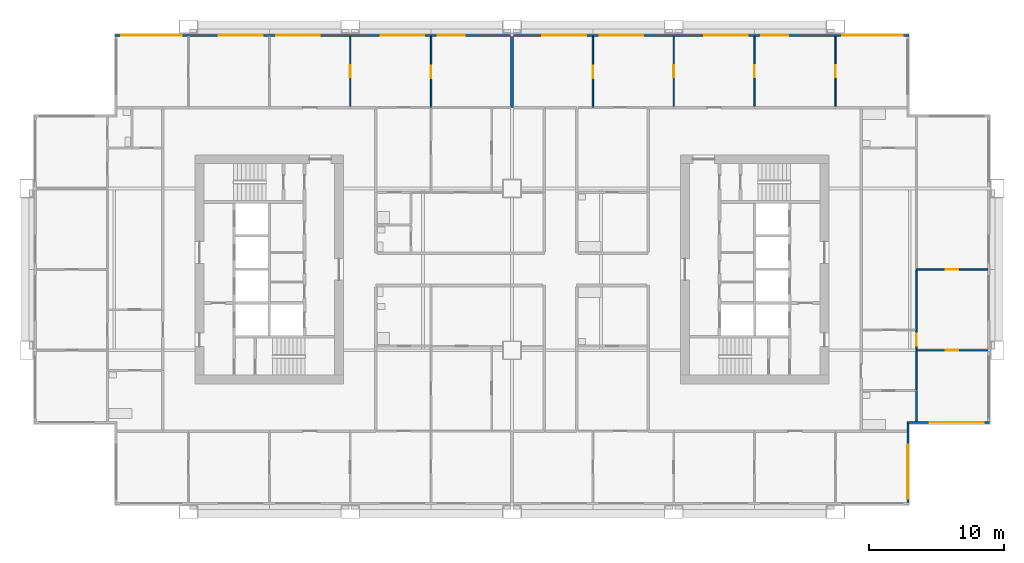
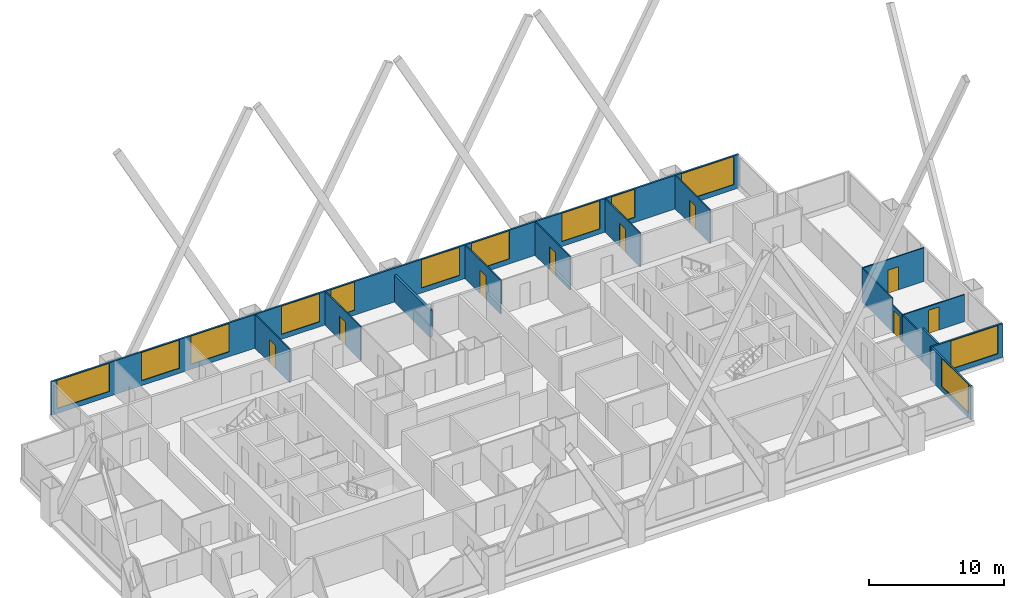
# One storey, part 8 of 11: 16 walls, 12 windows, 9 doors, 21 openings.
"""IFC4 building model written with IfcOpenShell, lengths in metres."""

from ifc_helpers import new_model, si_unit, direction, frame, frame_2d, origin, place, context, subcontext, project, spatial, rectangle, extrude, material, layer, layer_set, type_object, element, fill, save


model = new_model("IFC4")

# Units and contexts
model_context = context("Model", 3, precision=1e-05, world=origin(), true_north=direction((0.0, 1.0)))
body_context = subcontext(model_context, "Body", "Model", "MODEL_VIEW")
ifc_project = project(units=[si_unit("LENGTHUNIT", "METRE"), si_unit("AREAUNIT", "SQUARE_METRE"), si_unit("VOLUMEUNIT", "CUBIC_METRE"), si_unit("PLANEANGLEUNIT", "RADIAN"), si_unit("MASSUNIT", "GRAM", prefix="KILO")], contexts=[model_context])

# Site, building, storey
site_placement = place(None, origin())
site = spatial("IfcSite", under=ifc_project, at=site_placement, CompositionType="ELEMENT")
building_placement = place(site_placement, origin())
building = spatial("IfcBuilding", under=site, at=building_placement, Name="Kitamizu Gate Tower and Museum", CompositionType="ELEMENT")
storey_placement = place(building_placement, frame((0.0, 0.0, 131.10009765625)))
storey = spatial("IfcBuildingStorey", under=building, at=storey_placement, Name="L34", CompositionType="ELEMENT", Elevation=131.10009765625)

# Wall, opening, door
ifc_material_1 = material(Name="Gypsum board on galvanised stud")
ifc_layer_1 = layer(ifc_material_1, 0.10009765625)
ifc_layer_set_1 = layer_set([ifc_layer_1], Name="Gypsum board on galvanised stud")
wall_type_1 = type_object("IfcWallType", Name="Partition 100 NOT RATED", PredefinedType="PARTITIONING", material=ifc_layer_set_1)
wall_1_placement = place(storey_placement, frame((24.0, 42.10009765625, 0.0), z_axis=(0.0, 0.0, 1.0), x_axis=(0.0, 1.0, 0.0)))
wall_1 = element("IfcWall", 1, at=wall_1_placement, inside=storey, type_object=wall_type_1, Name="Partition L34-055", PredefinedType="PARTITIONING", context=body_context, shape_type="SweptSolid", body=[
    extrude(rectangle(XDim=5.179931640625, YDim=0.10009765625, at=frame_2d((2.58984375, 0.0))), origin(), (0.0, 0.0, 1.0), 3.0498046875),
])
opening_1_placement = place(wall_1_placement, frame((2.139892578125, 0.0, 0.0)))
opening_1 = element("IfcOpeningElement", 2, at=opening_1_placement, cuts=wall_1, Name="Opening L34-020", PredefinedType="OPENING", context=body_context, shape_type="SweptSolid", body=[
    extrude(rectangle(XDim=0.89990234375, YDim=2.10009765625, at=frame_2d((0.449951171875, 1.050048828125))), frame((0.0, 0.06005859375, 0.0), z_axis=(0.0, -1.0, 0.0), x_axis=(1.0, 0.0, 0.0)), (0.0, 0.0, 1.0), 0.1201171875),
])
ifc_material_2 = material(Name="Timber door set", Category="wood")
door_type = type_object("IfcDoorType", Name="Room door 900", OperationType="NOTDEFINED", PredefinedType="DOOR", material=ifc_material_2)
door_1_placement = place(opening_1_placement, frame((0.89990234375, 0.0, 0.0), x_axis=(-1.0, 0.0, 0.0)))
door_1 = element("IfcDoor", 3, at=door_1_placement, inside=storey, type_object=door_type, Name="Door L34-020", OperationType="SINGLE_SWING_RIGHT", OverallHeight=2.10009765625, OverallWidth=0.89990234375, PredefinedType="DOOR", context=body_context, shape_type="SweptSolid", body=[
    extrude(rectangle(XDim=0.89990234375, YDim=2.10009765625, at=frame_2d((0.449951171875, 1.050048828125))), frame((0.0, 0.02490234375, 0.0), z_axis=(0.0, -1.0, 0.0), x_axis=(1.0, 0.0, 0.0)), (0.0, 0.0, 1.0), 0.050048828125),
])
fill(opening_1, door_1)

wall_2_placement = place(storey_placement, frame((30.0, 42.0, 0.0), z_axis=(0.0, 0.0, 1.0), x_axis=(0.0, 1.0, 0.0)))
wall_2 = element("IfcWall", 4, at=wall_2_placement, inside=storey, type_object=wall_type_1, Name="Partition L34-057", PredefinedType="PARTITIONING", context=body_context, shape_type="SweptSolid", body=[
    extrude(rectangle(XDim=5.280029296875, YDim=0.10009765625, at=frame_2d((2.64013671875, 0.0))), origin(), (0.0, 0.0, 1.0), 3.0498046875),
])
opening_2_placement = place(wall_2_placement, frame((2.18994140625, 0.0, 0.0)))
opening_2 = element("IfcOpeningElement", 5, at=opening_2_placement, cuts=wall_2, Name="Opening L34-022", PredefinedType="OPENING", context=body_context, shape_type="SweptSolid", body=[
    extrude(rectangle(XDim=0.89990234375, YDim=2.10009765625, at=frame_2d((0.449951171875, 1.050048828125))), frame((0.0, 0.06005859375, 0.0), z_axis=(0.0, -1.0, 0.0), x_axis=(1.0, 0.0, 0.0)), (0.0, 0.0, 1.0), 0.1201171875),
])
door_2_placement = place(opening_2_placement, origin())
door_2 = element("IfcDoor", 6, at=door_2_placement, inside=storey, type_object=door_type, Name="Door L34-022", OperationType="SINGLE_SWING_LEFT", OverallHeight=2.10009765625, OverallWidth=0.89990234375, PredefinedType="DOOR", context=body_context, shape_type="SweptSolid", body=[
    extrude(rectangle(XDim=0.89990234375, YDim=2.10009765625, at=frame_2d((0.449951171875, 1.050048828125))), frame((0.0, 0.02490234375, 0.0), z_axis=(0.0, -1.0, 0.0), x_axis=(1.0, 0.0, 0.0)), (0.0, 0.0, 1.0), 0.050048828125),
])
fill(opening_2, door_2)

wall_3_placement = place(storey_placement, frame((42.0, 42.0, 0.0), z_axis=(0.0, 0.0, 1.0), x_axis=(0.0, 1.0, 0.0)))
wall_3 = element("IfcWall", 7, at=wall_3_placement, inside=storey, type_object=wall_type_1, Name="Partition L34-106", PredefinedType="PARTITIONING", context=body_context, shape_type="SweptSolid", body=[
    extrude(rectangle(XDim=5.280029296875, YDim=0.10009765625, at=frame_2d((2.64013671875, 0.0))), origin(), (0.0, 0.0, 1.0), 3.0498046875),
])
opening_3_placement = place(wall_3_placement, frame((2.18994140625, 0.0, 0.0)))
opening_3 = element("IfcOpeningElement", 8, at=opening_3_placement, cuts=wall_3, Name="Opening L34-042", PredefinedType="OPENING", context=body_context, shape_type="SweptSolid", body=[
    extrude(rectangle(XDim=0.89990234375, YDim=2.10009765625, at=frame_2d((0.449951171875, 1.050048828125))), frame((0.0, 0.06005859375, 0.0), z_axis=(0.0, -1.0, 0.0), x_axis=(1.0, 0.0, 0.0)), (0.0, 0.0, 1.0), 0.1201171875),
])
door_3_placement = place(opening_3_placement, origin())
door_3 = element("IfcDoor", 9, at=door_3_placement, inside=storey, type_object=door_type, Name="Door L34-042", OperationType="SINGLE_SWING_RIGHT", OverallHeight=2.10009765625, OverallWidth=0.89990234375, PredefinedType="DOOR", context=body_context, shape_type="SweptSolid", body=[
    extrude(rectangle(XDim=0.89990234375, YDim=2.10009765625, at=frame_2d((0.449951171875, 1.050048828125))), frame((0.0, 0.02490234375, 0.0), z_axis=(0.0, -1.0, 0.0), x_axis=(1.0, 0.0, 0.0)), (0.0, 0.0, 1.0), 0.050048828125),
])
fill(opening_3, door_3)

wall_4_placement = place(storey_placement, frame((48.0, 42.10009765625, 0.0), z_axis=(0.0, 0.0, 1.0), x_axis=(0.0, 1.0, 0.0)))
wall_4 = element("IfcWall", 10, at=wall_4_placement, inside=storey, type_object=wall_type_1, Name="Partition L34-109", PredefinedType="PARTITIONING", context=body_context, shape_type="SweptSolid", body=[
    extrude(rectangle(XDim=5.179931640625, YDim=0.10009765625, at=frame_2d((2.58984375, 0.0))), origin(), (0.0, 0.0, 1.0), 3.0498046875),
])
opening_4_placement = place(wall_4_placement, frame((2.139892578125, 0.0, 0.0)))
opening_4 = element("IfcOpeningElement", 11, at=opening_4_placement, cuts=wall_4, Name="Opening L34-039", PredefinedType="OPENING", context=body_context, shape_type="SweptSolid", body=[
    extrude(rectangle(XDim=0.89990234375, YDim=2.10009765625, at=frame_2d((0.449951171875, 1.050048828125))), frame((0.0, 0.06005859375, 0.0), z_axis=(0.0, -1.0, 0.0), x_axis=(1.0, 0.0, 0.0)), (0.0, 0.0, 1.0), 0.1201171875),
])
door_4_placement = place(opening_4_placement, origin())
door_4 = element("IfcDoor", 12, at=door_4_placement, inside=storey, type_object=door_type, Name="Door L34-039", OperationType="SINGLE_SWING_LEFT", OverallHeight=2.10009765625, OverallWidth=0.89990234375, PredefinedType="DOOR", context=body_context, shape_type="SweptSolid", body=[
    extrude(rectangle(XDim=0.89990234375, YDim=2.10009765625, at=frame_2d((0.449951171875, 1.050048828125))), frame((0.0, 0.02490234375, 0.0), z_axis=(0.0, -1.0, 0.0), x_axis=(1.0, 0.0, 0.0)), (0.0, 0.0, 1.0), 0.050048828125),
])
fill(opening_4, door_4)

wall_5_placement = place(storey_placement, frame((54.0, 42.10009765625, 0.0), z_axis=(0.0, 0.0, 1.0), x_axis=(0.0, 1.0, 0.0)))
wall_5 = element("IfcWall", 13, at=wall_5_placement, inside=storey, type_object=wall_type_1, Name="Partition L34-112", PredefinedType="PARTITIONING", context=body_context, shape_type="SweptSolid", body=[
    extrude(rectangle(XDim=5.179931640625, YDim=0.10009765625, at=frame_2d((2.58984375, 0.0))), origin(), (0.0, 0.0, 1.0), 3.0498046875),
])
opening_5_placement = place(wall_5_placement, frame((2.139892578125, 0.0, 0.0)))
opening_5 = element("IfcOpeningElement", 14, at=opening_5_placement, cuts=wall_5, Name="Opening L34-040", PredefinedType="OPENING", context=body_context, shape_type="SweptSolid", body=[
    extrude(rectangle(XDim=0.89990234375, YDim=2.10009765625, at=frame_2d((0.449951171875, 1.050048828125))), frame((0.0, 0.06005859375, 0.0), z_axis=(0.0, -1.0, 0.0), x_axis=(1.0, 0.0, 0.0)), (0.0, 0.0, 1.0), 0.1201171875),
])
door_5_placement = place(opening_5_placement, frame((0.89990234375, 0.0, 0.0), x_axis=(-1.0, 0.0, 0.0)))
door_5 = element("IfcDoor", 15, at=door_5_placement, inside=storey, type_object=door_type, Name="Door L34-040", OperationType="SINGLE_SWING_LEFT", OverallHeight=2.10009765625, OverallWidth=0.89990234375, PredefinedType="DOOR", context=body_context, shape_type="SweptSolid", body=[
    extrude(rectangle(XDim=0.89990234375, YDim=2.10009765625, at=frame_2d((0.449951171875, 1.050048828125))), frame((0.0, 0.02490234375, 0.0), z_axis=(0.0, -1.0, 0.0), x_axis=(1.0, 0.0, 0.0)), (0.0, 0.0, 1.0), 0.050048828125),
])
fill(opening_5, door_5)

wall_6_placement = place(storey_placement, frame((60.0, 42.10009765625, 0.0), z_axis=(0.0, 0.0, 1.0), x_axis=(0.0, 1.0, 0.0)))
wall_6 = element("IfcWall", 16, at=wall_6_placement, inside=storey, type_object=wall_type_1, Name="Partition L34-114", PredefinedType="PARTITIONING", context=body_context, shape_type="SweptSolid", body=[
    extrude(rectangle(XDim=5.179931640625, YDim=0.10009765625, at=frame_2d((2.58984375, 0.0))), origin(), (0.0, 0.0, 1.0), 3.0498046875),
])
opening_6_placement = place(wall_6_placement, frame((2.139892578125, 0.0, 0.0)))
opening_6 = element("IfcOpeningElement", 17, at=opening_6_placement, cuts=wall_6, Name="Opening L34-041", PredefinedType="OPENING", context=body_context, shape_type="SweptSolid", body=[
    extrude(rectangle(XDim=0.89990234375, YDim=2.10009765625, at=frame_2d((0.449951171875, 1.050048828125))), frame((0.0, 0.06005859375, 0.0), z_axis=(0.0, -1.0, 0.0), x_axis=(1.0, 0.0, 0.0)), (0.0, 0.0, 1.0), 0.1201171875),
])
door_6_placement = place(opening_6_placement, frame((0.89990234375, 0.0, 0.0), x_axis=(-1.0, 0.0, 0.0)))
door_6 = element("IfcDoor", 18, at=door_6_placement, inside=storey, type_object=door_type, Name="Door L34-041", OperationType="SINGLE_SWING_RIGHT", OverallHeight=2.10009765625, OverallWidth=0.89990234375, PredefinedType="DOOR", context=body_context, shape_type="SweptSolid", body=[
    extrude(rectangle(XDim=0.89990234375, YDim=2.10009765625, at=frame_2d((0.449951171875, 1.050048828125))), frame((0.0, 0.02490234375, 0.0), z_axis=(0.0, -1.0, 0.0), x_axis=(1.0, 0.0, 0.0)), (0.0, 0.0, 1.0), 0.050048828125),
])
fill(opening_6, door_6)

wall_7_placement = place(storey_placement, frame((71.280029296875, 24.0, 0.0), z_axis=(0.0, 0.0, 1.0), x_axis=(-1.0, 0.0, 0.0)))
wall_7 = element("IfcWall", 19, at=wall_7_placement, inside=storey, type_object=wall_type_1, Name="Partition L34-125", PredefinedType="PARTITIONING", context=body_context, shape_type="SweptSolid", body=[
    extrude(rectangle(XDim=5.280029296875, YDim=0.10009765625, at=frame_2d((2.64013671875, 0.0))), origin(), (0.0, 0.0, 1.0), 2.449951171875),
])
opening_7_placement = place(wall_7_placement, frame((2.18994140625, 0.0, 0.0)))
opening_7 = element("IfcOpeningElement", 20, at=opening_7_placement, cuts=wall_7, Name="Opening L34-049", PredefinedType="OPENING", context=body_context, shape_type="SweptSolid", body=[
    extrude(rectangle(XDim=0.89990234375, YDim=2.10009765625, at=frame_2d((0.449951171875, 1.050048828125))), frame((0.0, 0.06005859375, 0.0), z_axis=(0.0, -1.0, 0.0), x_axis=(1.0, 0.0, 0.0)), (0.0, 0.0, 1.0), 0.1201171875),
])
door_7_placement = place(opening_7_placement, origin())
door_7 = element("IfcDoor", 21, at=door_7_placement, inside=storey, type_object=door_type, Name="Door L34-049", OperationType="SINGLE_SWING_LEFT", OverallHeight=2.10009765625, OverallWidth=0.89990234375, PredefinedType="DOOR", context=body_context, shape_type="SweptSolid", body=[
    extrude(rectangle(XDim=0.89990234375, YDim=2.10009765625, at=frame_2d((0.449951171875, 1.050048828125))), frame((0.0, 0.02490234375, 0.0), z_axis=(0.0, -1.0, 0.0), x_axis=(1.0, 0.0, 0.0)), (0.0, 0.0, 1.0), 0.050048828125),
])
fill(opening_7, door_7)

# Wall
wall_8_placement = place(storey_placement, frame((66.0, 23.949951171875, 0.0), z_axis=(0.0, 0.0, 1.0), x_axis=(0.0, -1.0, 0.0)))
element("IfcWall", 22, at=wall_8_placement, inside=storey, type_object=wall_type_1, Name="Partition L34-127", PredefinedType="PARTITIONING", context=body_context, shape_type="SweptSolid", body=[
    extrude(rectangle(XDim=2.875, YDim=0.10009765625, at=frame_2d((1.4375, 0.0))), origin(), (0.0, 0.0, 1.0), 2.449951171875),
])

# Wall, opening, door
wall_9_placement = place(storey_placement, frame((71.280029296875, 30.0, 0.0), z_axis=(0.0, 0.0, 1.0), x_axis=(-1.0, 0.0, 0.0)))
wall_9 = element("IfcWall", 23, at=wall_9_placement, inside=storey, type_object=wall_type_1, Name="Partition L34-128", PredefinedType="PARTITIONING", context=body_context, shape_type="SweptSolid", body=[
    extrude(rectangle(XDim=5.280029296875, YDim=0.10009765625, at=frame_2d((2.64013671875, 0.0))), origin(), (0.0, 0.0, 1.0), 3.0498046875),
])
opening_8_placement = place(wall_9_placement, frame((2.18994140625, 0.0, 0.0)))
opening_8 = element("IfcOpeningElement", 24, at=opening_8_placement, cuts=wall_9, Name="Opening L34-048", PredefinedType="OPENING", context=body_context, shape_type="SweptSolid", body=[
    extrude(rectangle(XDim=0.89990234375, YDim=2.10009765625, at=frame_2d((0.449951171875, 1.050048828125))), frame((0.0, 0.06005859375, 0.0), z_axis=(0.0, -1.0, 0.0), x_axis=(1.0, 0.0, 0.0)), (0.0, 0.0, 1.0), 0.1201171875),
])
door_8_placement = place(opening_8_placement, origin())
door_8 = element("IfcDoor", 25, at=door_8_placement, inside=storey, type_object=door_type, Name="Door L34-048", OperationType="SINGLE_SWING_RIGHT", OverallHeight=2.10009765625, OverallWidth=0.89990234375, PredefinedType="DOOR", context=body_context, shape_type="SweptSolid", body=[
    extrude(rectangle(XDim=0.89990234375, YDim=2.10009765625, at=frame_2d((0.449951171875, 1.050048828125))), frame((0.0, 0.02490234375, 0.0), z_axis=(0.0, -1.0, 0.0), x_axis=(1.0, 0.0, 0.0)), (0.0, 0.0, 1.0), 0.050048828125),
])
fill(opening_8, door_8)

wall_10_placement = place(storey_placement, frame((66.0, 25.5, 0.0), z_axis=(0.0, 0.0, 1.0), x_axis=(0.0, -1.0, 0.0)))
wall_10 = element("IfcWall", 26, at=wall_10_placement, inside=storey, type_object=wall_type_1, Name="Partition L34-129", PredefinedType="PARTITIONING", context=body_context, shape_type="SweptSolid", body=[
    extrude(rectangle(XDim=1.449951171875, YDim=0.10009765625, at=frame_2d((0.72509765625, 0.0))), origin(), (0.0, 0.0, 1.0), 2.449951171875),
])
opening_9_placement = place(wall_10_placement, frame((0.27490234375, 0.0, 0.0)))
opening_9 = element("IfcOpeningElement", 27, at=opening_9_placement, cuts=wall_10, Name="Opening L34-046", PredefinedType="OPENING", context=body_context, shape_type="SweptSolid", body=[
    extrude(rectangle(XDim=0.89990234375, YDim=2.10009765625, at=frame_2d((0.449951171875, 1.050048828125))), frame((0.0, 0.06005859375, 0.0), z_axis=(0.0, -1.0, 0.0), x_axis=(1.0, 0.0, 0.0)), (0.0, 0.0, 1.0), 0.1201171875),
])
door_9_placement = place(opening_9_placement, origin())
door_9 = element("IfcDoor", 28, at=door_9_placement, inside=storey, type_object=door_type, Name="Door L34-046", OperationType="SINGLE_SWING_LEFT", OverallHeight=2.10009765625, OverallWidth=0.89990234375, PredefinedType="DOOR", context=body_context, shape_type="SweptSolid", body=[
    extrude(rectangle(XDim=0.89990234375, YDim=2.10009765625, at=frame_2d((0.449951171875, 1.050048828125))), frame((0.0, 0.02490234375, 0.0), z_axis=(0.0, -1.0, 0.0), x_axis=(1.0, 0.0, 0.0)), (0.0, 0.0, 1.0), 0.050048828125),
])
fill(opening_9, door_9)

# Walls
wall_11_placement = place(storey_placement, frame((66.0, 29.949951171875, 0.0), z_axis=(0.0, 0.0, 1.0), x_axis=(0.0, -1.0, 0.0)))
element("IfcWall", 29, at=wall_11_placement, inside=storey, type_object=wall_type_1, Name="Partition L34-130", PredefinedType="PARTITIONING", context=body_context, shape_type="SweptSolid", body=[
    extrude(rectangle(XDim=4.449951171875, YDim=0.10009765625, at=frame_2d((2.22509765625, 0.0))), origin(), (0.0, 0.0, 1.0), 3.0498046875),
])
ifc_material_3 = material(Name="Gypsum board on galvanised stud")
ifc_layer_2 = layer(ifc_material_3, 0.14990234375)
ifc_layer_set_2 = layer_set([ifc_layer_2], Name="Gypsum board on galvanised stud")
wall_type_2 = type_object("IfcWallType", Name="Partition 150", PredefinedType="PARTITIONING", material=ifc_layer_set_2)
wall_12_placement = place(storey_placement, frame((66.0, 21.0, 0.0), z_axis=(0.0, 0.0, 1.0), x_axis=(0.0, -1.0, 0.0)))
element("IfcWall", 30, at=wall_12_placement, inside=storey, type_object=wall_type_2, Name="Partition L34-126", PredefinedType="PARTITIONING", context=body_context, shape_type="SweptSolid", body=[
    extrude(rectangle(XDim=2.280029296875, YDim=0.14990234375, at=frame_2d((1.14013671875, 0.0))), origin(), (0.0, 0.0, 1.0), 3.0498046875),
])
ifc_material_4 = material(Name="Gypsum board on galvanised stud")
ifc_layer_3 = layer(ifc_material_4, 0.199951171875)
ifc_layer_set_3 = layer_set([ifc_layer_3], Name="Gypsum board on galvanised stud")
wall_type_3 = type_object("IfcWallType", Name="Partition 200", PredefinedType="PARTITIONING", material=ifc_layer_set_3)
wall_13_placement = place(storey_placement, frame((36.0, 42.0, 0.0), z_axis=(0.0, 0.0, 1.0), x_axis=(0.0, 1.0, 0.0)))
element("IfcWall", 31, at=wall_13_placement, inside=storey, type_object=wall_type_3, Name="Partition L34-062", PredefinedType="PARTITIONING", context=body_context, shape_type="SweptSolid", body=[
    extrude(rectangle(XDim=5.280029296875, YDim=0.199951171875, at=frame_2d((2.64013671875, 0.0))), origin(), (0.0, 0.0, 1.0), 2.449951171875),
])

# Wall, opening, window
ifc_material_5 = material(Name="Bronze anodised aluminium frame with insulated spandrel and tinted glass", Category="aluminium")
ifc_layer_4 = layer(ifc_material_5, 0.14990234375)
ifc_layer_set_4 = layer_set([ifc_layer_4], Name="Bronze anodised aluminium frame with insulated spandrel and tinted glass")
wall_type_4 = type_object("IfcWallType", Name="WINDOW WALL 150 BRONZE FRAME EI 30", PredefinedType="ELEMENTEDWALL", material=ifc_layer_set_4)
wall_14_placement = place(storey_placement, frame((65.364990234375, 12.7099609375, 0.0), z_axis=(0.0, 0.0, 1.0), x_axis=(0.0, 1.0, 0.0)))
wall_14 = element("IfcWall", 32, at=wall_14_placement, inside=storey, type_object=wall_type_4, Name="Window wall east L34", PredefinedType="ELEMENTEDWALL", context=body_context, shape_type="SweptSolid", body=[
    extrude(rectangle(XDim=5.85009765625, YDim=0.14990234375, at=frame_2d((2.925048828125, 0.0))), origin(), (0.0, 0.0, 1.0), 3.0498046875),
])
opening_10_placement = place(wall_14_placement, frame((0.2900390625, 0.0, 0.449951171875)))
opening_10 = element("IfcOpeningElement", 33, at=opening_10_placement, cuts=wall_14, Name="Opening W16", PredefinedType="OPENING", context=body_context, shape_type="SweptSolid", body=[
    extrude(rectangle(XDim=4.0, YDim=2.550048828125, at=frame_2d((2.0, 1.27490234375))), frame((0.0, 0.0849609375, 0.0), z_axis=(0.0, -1.0, 0.0), x_axis=(1.0, 0.0, 0.0)), (0.0, 0.0, 1.0), 0.169921875),
])
ifc_material_6 = material(Name="Bronze anodised aluminium frame, tinted triple glazing", Category="aluminium")
window_type_1 = type_object("IfcWindowType", Name="WINDOW 4000 x 2550 SILL 450", PartitioningType="SINGLE_PANEL", PredefinedType="WINDOW", material=ifc_material_6)
window_1_placement = place(opening_10_placement, origin())
window_1 = element("IfcWindow", 34, at=window_1_placement, inside=storey, type_object=window_type_1, Name="Window W16 L34", OverallHeight=2.550048828125, OverallWidth=4.0, PartitioningType="SINGLE_PANEL", PredefinedType="WINDOW", context=body_context, shape_type="SweptSolid", body=[
    extrude(rectangle(XDim=4.0, YDim=2.550048828125, at=frame_2d((2.0, 1.27490234375))), frame((0.0, 0.030029296875, 0.0), z_axis=(0.0, -1.0, 0.0), x_axis=(1.0, 0.0, 0.0)), (0.0, 0.0, 1.0), 0.06005859375),
])
fill(opening_10, window_1)

wall_15_placement = place(storey_placement, frame((65.2900390625, 18.635009765625, 0.0), z_axis=(0.0, 0.0, 1.0), x_axis=(1.0, 0.0, 0.0)))
wall_15 = element("IfcWall", 35, at=wall_15_placement, inside=storey, type_object=wall_type_4, Name="Window wall south L34", PredefinedType="ELEMENTEDWALL", context=body_context, shape_type="SweptSolid", body=[
    extrude(rectangle(XDim=6.14990234375, YDim=0.14990234375, at=frame_2d((3.074951171875, 0.0))), origin(), (0.0, 0.0, 1.0), 3.0498046875),
])
opening_11_placement = place(wall_15_placement, frame((1.7099609375, 0.0, 0.449951171875)))
opening_11 = element("IfcOpeningElement", 36, at=opening_11_placement, cuts=wall_15, Name="Opening W16", PredefinedType="OPENING", context=body_context, shape_type="SweptSolid", body=[
    extrude(rectangle(XDim=4.0, YDim=2.550048828125, at=frame_2d((2.0, 1.27490234375))), frame((0.0, 0.0849609375, 0.0), z_axis=(0.0, -1.0, 0.0), x_axis=(1.0, 0.0, 0.0)), (0.0, 0.0, 1.0), 0.169921875),
])
window_2_placement = place(opening_11_placement, origin())
window_2 = element("IfcWindow", 37, at=window_2_placement, inside=storey, type_object=window_type_1, Name="Window W16 L34", OverallHeight=2.550048828125, OverallWidth=4.0, PartitioningType="SINGLE_PANEL", PredefinedType="WINDOW", context=body_context, shape_type="SweptSolid", body=[
    extrude(rectangle(XDim=4.0, YDim=2.550048828125, at=frame_2d((2.0, 1.27490234375))), frame((0.0, 0.030029296875, 0.0), z_axis=(0.0, -1.0, 0.0), x_axis=(1.0, 0.0, 0.0)), (0.0, 0.0, 1.0), 0.06005859375),
])
fill(opening_11, window_2)

# Wall, openings, windows
wall_16_placement = place(storey_placement, frame((6.56005859375, 47.364990234375, 0.0), z_axis=(0.0, 0.0, 1.0), x_axis=(1.0, 0.0, 0.0)))
wall_16 = element("IfcWall", 38, at=wall_16_placement, inside=storey, type_object=wall_type_4, Name="Window wall north L34", PredefinedType="ELEMENTEDWALL", context=body_context, shape_type="SweptSolid", body=[
    extrude(rectangle(XDim=58.8798828125, YDim=0.14990234375, at=frame_2d((29.43994140625, 0.0))), origin(), (0.0, 0.0, 1.0), 3.0498046875),
])
opening_12_placement = place(wall_16_placement, frame((0.43994140625, 0.0, 0.449951171875)))
opening_12 = element("IfcOpeningElement", 39, at=opening_12_placement, cuts=wall_16, Name="Opening W15", PredefinedType="OPENING", context=body_context, shape_type="SweptSolid", body=[
    extrude(rectangle(XDim=4.5, YDim=2.550048828125, at=frame_2d((2.25, 1.27490234375))), frame((0.0, 0.0849609375, 0.0), z_axis=(0.0, -1.0, 0.0), x_axis=(1.0, 0.0, 0.0)), (0.0, 0.0, 1.0), 0.169921875),
])
opening_13_placement = place(wall_16_placement, frame((7.68994140625, 0.0, 0.449951171875)))
opening_13 = element("IfcOpeningElement", 40, at=opening_13_placement, cuts=wall_16, Name="Opening W34", PredefinedType="OPENING", context=body_context, shape_type="SweptSolid", body=[
    extrude(rectangle(XDim=3.25, YDim=2.550048828125, at=frame_2d((1.625, 1.27490234375))), frame((0.0, 0.0849609375, 0.0), z_axis=(0.0, -1.0, 0.0), x_axis=(1.0, 0.0, 0.0)), (0.0, 0.0, 1.0), 0.169921875),
])
opening_14_placement = place(wall_16_placement, frame((11.93994140625, 0.0, 0.449951171875)))
opening_14 = element("IfcOpeningElement", 41, at=opening_14_placement, cuts=wall_16, Name="Opening W34", PredefinedType="OPENING", context=body_context, shape_type="SweptSolid", body=[
    extrude(rectangle(XDim=3.25, YDim=2.550048828125, at=frame_2d((1.625, 1.27490234375))), frame((0.0, 0.0849609375, 0.0), z_axis=(0.0, -1.0, 0.0), x_axis=(1.0, 0.0, 0.0)), (0.0, 0.0, 1.0), 0.169921875),
])
opening_15_placement = place(wall_16_placement, frame((19.68994140625, 0.0, 0.449951171875)))
opening_15 = element("IfcOpeningElement", 42, at=opening_15_placement, cuts=wall_16, Name="Opening W34", PredefinedType="OPENING", context=body_context, shape_type="SweptSolid", body=[
    extrude(rectangle(XDim=3.25, YDim=2.550048828125, at=frame_2d((1.625, 1.27490234375))), frame((0.0, 0.0849609375, 0.0), z_axis=(0.0, -1.0, 0.0), x_axis=(1.0, 0.0, 0.0)), (0.0, 0.0, 1.0), 0.169921875),
])
opening_16_placement = place(wall_16_placement, frame((23.93994140625, 0.0, 0.449951171875)))
opening_16 = element("IfcOpeningElement", 43, at=opening_16_placement, cuts=wall_16, Name="Opening W2", PredefinedType="OPENING", context=body_context, shape_type="SweptSolid", body=[
    extrude(rectangle(XDim=2.0, YDim=2.550048828125, at=frame_2d((1.0, 1.27490234375))), frame((0.0, 0.0849609375, 0.0), z_axis=(0.0, -1.0, 0.0), x_axis=(1.0, 0.0, 0.0)), (0.0, 0.0, 1.0), 0.169921875),
])
opening_17_placement = place(wall_16_placement, frame((31.68994140625, 0.0, 0.449951171875)))
opening_17 = element("IfcOpeningElement", 44, at=opening_17_placement, cuts=wall_16, Name="Opening W34", PredefinedType="OPENING", context=body_context, shape_type="SweptSolid", body=[
    extrude(rectangle(XDim=3.25, YDim=2.550048828125, at=frame_2d((1.625, 1.27490234375))), frame((0.0, 0.0849609375, 0.0), z_axis=(0.0, -1.0, 0.0), x_axis=(1.0, 0.0, 0.0)), (0.0, 0.0, 1.0), 0.169921875),
])
opening_18_placement = place(wall_16_placement, frame((35.93994140625, 0.0, 0.449951171875)))
opening_18 = element("IfcOpeningElement", 45, at=opening_18_placement, cuts=wall_16, Name="Opening W34", PredefinedType="OPENING", context=body_context, shape_type="SweptSolid", body=[
    extrude(rectangle(XDim=3.25, YDim=2.550048828125, at=frame_2d((1.625, 1.27490234375))), frame((0.0, 0.0849609375, 0.0), z_axis=(0.0, -1.0, 0.0), x_axis=(1.0, 0.0, 0.0)), (0.0, 0.0, 1.0), 0.169921875),
])
opening_19_placement = place(wall_16_placement, frame((43.68994140625, 0.0, 0.449951171875)))
opening_19 = element("IfcOpeningElement", 46, at=opening_19_placement, cuts=wall_16, Name="Opening W34", PredefinedType="OPENING", context=body_context, shape_type="SweptSolid", body=[
    extrude(rectangle(XDim=3.25, YDim=2.550048828125, at=frame_2d((1.625, 1.27490234375))), frame((0.0, 0.0849609375, 0.0), z_axis=(0.0, -1.0, 0.0), x_axis=(1.0, 0.0, 0.0)), (0.0, 0.0, 1.0), 0.169921875),
])
opening_20_placement = place(wall_16_placement, frame((47.93994140625, 0.0, 0.449951171875)))
opening_20 = element("IfcOpeningElement", 47, at=opening_20_placement, cuts=wall_16, Name="Opening W2", PredefinedType="OPENING", context=body_context, shape_type="SweptSolid", body=[
    extrude(rectangle(XDim=2.0, YDim=2.550048828125, at=frame_2d((1.0, 1.27490234375))), frame((0.0, 0.0849609375, 0.0), z_axis=(0.0, -1.0, 0.0), x_axis=(1.0, 0.0, 0.0)), (0.0, 0.0, 1.0), 0.169921875),
])
opening_21_placement = place(wall_16_placement, frame((53.93994140625, 0.0, 0.449951171875)))
opening_21 = element("IfcOpeningElement", 48, at=opening_21_placement, cuts=wall_16, Name="Opening W15", PredefinedType="OPENING", context=body_context, shape_type="SweptSolid", body=[
    extrude(rectangle(XDim=4.5, YDim=2.550048828125, at=frame_2d((2.25, 1.27490234375))), frame((0.0, 0.0849609375, 0.0), z_axis=(0.0, -1.0, 0.0), x_axis=(1.0, 0.0, 0.0)), (0.0, 0.0, 1.0), 0.169921875),
])
ifc_material_7 = material(Name="Bronze anodised aluminium frame, tinted triple glazing", Category="aluminium")
window_type_2 = type_object("IfcWindowType", Name="WINDOW 2000 x 2550 SILL 450", PartitioningType="SINGLE_PANEL", PredefinedType="WINDOW", material=ifc_material_7)
window_3_placement = place(opening_16_placement, origin())
window_3 = element("IfcWindow", 49, at=window_3_placement, inside=storey, type_object=window_type_2, Name="Window W2 L34", OverallHeight=2.550048828125, OverallWidth=2.0, PartitioningType="SINGLE_PANEL", PredefinedType="WINDOW", context=body_context, shape_type="SweptSolid", body=[
    extrude(rectangle(XDim=2.0, YDim=2.550048828125, at=frame_2d((1.0, 1.27490234375))), frame((0.0, 0.030029296875, 0.0), z_axis=(0.0, -1.0, 0.0), x_axis=(1.0, 0.0, 0.0)), (0.0, 0.0, 1.0), 0.06005859375),
])
fill(opening_16, window_3)
window_4_placement = place(opening_20_placement, origin())
window_4 = element("IfcWindow", 50, at=window_4_placement, inside=storey, type_object=window_type_2, Name="Window W2 L34", OverallHeight=2.550048828125, OverallWidth=2.0, PartitioningType="SINGLE_PANEL", PredefinedType="WINDOW", context=body_context, shape_type="SweptSolid", body=[
    extrude(rectangle(XDim=2.0, YDim=2.550048828125, at=frame_2d((1.0, 1.27490234375))), frame((0.0, 0.030029296875, 0.0), z_axis=(0.0, -1.0, 0.0), x_axis=(1.0, 0.0, 0.0)), (0.0, 0.0, 1.0), 0.06005859375),
])
fill(opening_20, window_4)
ifc_material_8 = material(Name="Bronze anodised aluminium frame, tinted triple glazing", Category="aluminium")
window_type_3 = type_object("IfcWindowType", Name="WINDOW 3250 x 2550 SILL 450", PartitioningType="SINGLE_PANEL", PredefinedType="WINDOW", material=ifc_material_8)
window_5_placement = place(opening_13_placement, origin())
window_5 = element("IfcWindow", 51, at=window_5_placement, inside=storey, type_object=window_type_3, Name="Window W34 L34", OverallHeight=2.550048828125, OverallWidth=3.25, PartitioningType="SINGLE_PANEL", PredefinedType="WINDOW", context=body_context, shape_type="SweptSolid", body=[
    extrude(rectangle(XDim=3.25, YDim=2.550048828125, at=frame_2d((1.625, 1.27490234375))), frame((0.0, 0.030029296875, 0.0), z_axis=(0.0, -1.0, 0.0), x_axis=(1.0, 0.0, 0.0)), (0.0, 0.0, 1.0), 0.06005859375),
])
fill(opening_13, window_5)
window_6_placement = place(opening_14_placement, origin())
window_6 = element("IfcWindow", 52, at=window_6_placement, inside=storey, type_object=window_type_3, Name="Window W34 L34", OverallHeight=2.550048828125, OverallWidth=3.25, PartitioningType="SINGLE_PANEL", PredefinedType="WINDOW", context=body_context, shape_type="SweptSolid", body=[
    extrude(rectangle(XDim=3.25, YDim=2.550048828125, at=frame_2d((1.625, 1.27490234375))), frame((0.0, 0.030029296875, 0.0), z_axis=(0.0, -1.0, 0.0), x_axis=(1.0, 0.0, 0.0)), (0.0, 0.0, 1.0), 0.06005859375),
])
fill(opening_14, window_6)
window_7_placement = place(opening_15_placement, origin())
window_7 = element("IfcWindow", 53, at=window_7_placement, inside=storey, type_object=window_type_3, Name="Window W34 L34", OverallHeight=2.550048828125, OverallWidth=3.25, PartitioningType="SINGLE_PANEL", PredefinedType="WINDOW", context=body_context, shape_type="SweptSolid", body=[
    extrude(rectangle(XDim=3.25, YDim=2.550048828125, at=frame_2d((1.625, 1.27490234375))), frame((0.0, 0.030029296875, 0.0), z_axis=(0.0, -1.0, 0.0), x_axis=(1.0, 0.0, 0.0)), (0.0, 0.0, 1.0), 0.06005859375),
])
fill(opening_15, window_7)
window_8_placement = place(opening_17_placement, origin())
window_8 = element("IfcWindow", 54, at=window_8_placement, inside=storey, type_object=window_type_3, Name="Window W34 L34", OverallHeight=2.550048828125, OverallWidth=3.25, PartitioningType="SINGLE_PANEL", PredefinedType="WINDOW", context=body_context, shape_type="SweptSolid", body=[
    extrude(rectangle(XDim=3.25, YDim=2.550048828125, at=frame_2d((1.625, 1.27490234375))), frame((0.0, 0.030029296875, 0.0), z_axis=(0.0, -1.0, 0.0), x_axis=(1.0, 0.0, 0.0)), (0.0, 0.0, 1.0), 0.06005859375),
])
fill(opening_17, window_8)
window_9_placement = place(opening_18_placement, origin())
window_9 = element("IfcWindow", 55, at=window_9_placement, inside=storey, type_object=window_type_3, Name="Window W34 L34", OverallHeight=2.550048828125, OverallWidth=3.25, PartitioningType="SINGLE_PANEL", PredefinedType="WINDOW", context=body_context, shape_type="SweptSolid", body=[
    extrude(rectangle(XDim=3.25, YDim=2.550048828125, at=frame_2d((1.625, 1.27490234375))), frame((0.0, 0.030029296875, 0.0), z_axis=(0.0, -1.0, 0.0), x_axis=(1.0, 0.0, 0.0)), (0.0, 0.0, 1.0), 0.06005859375),
])
fill(opening_18, window_9)
window_10_placement = place(opening_19_placement, origin())
window_10 = element("IfcWindow", 56, at=window_10_placement, inside=storey, type_object=window_type_3, Name="Window W34 L34", OverallHeight=2.550048828125, OverallWidth=3.25, PartitioningType="SINGLE_PANEL", PredefinedType="WINDOW", context=body_context, shape_type="SweptSolid", body=[
    extrude(rectangle(XDim=3.25, YDim=2.550048828125, at=frame_2d((1.625, 1.27490234375))), frame((0.0, 0.030029296875, 0.0), z_axis=(0.0, -1.0, 0.0), x_axis=(1.0, 0.0, 0.0)), (0.0, 0.0, 1.0), 0.06005859375),
])
fill(opening_19, window_10)
ifc_material_9 = material(Name="Bronze anodised aluminium frame, tinted triple glazing", Category="aluminium")
window_type_4 = type_object("IfcWindowType", Name="WINDOW 4500 x 2550 SILL 450", PartitioningType="SINGLE_PANEL", PredefinedType="WINDOW", material=ifc_material_9)
window_11_placement = place(opening_12_placement, origin())
window_11 = element("IfcWindow", 57, at=window_11_placement, inside=storey, type_object=window_type_4, Name="Window W15 L34", OverallHeight=2.550048828125, OverallWidth=4.5, PartitioningType="SINGLE_PANEL", PredefinedType="WINDOW", context=body_context, shape_type="SweptSolid", body=[
    extrude(rectangle(XDim=4.5, YDim=2.550048828125, at=frame_2d((2.25, 1.27490234375))), frame((0.0, 0.030029296875, 0.0), z_axis=(0.0, -1.0, 0.0), x_axis=(1.0, 0.0, 0.0)), (0.0, 0.0, 1.0), 0.06005859375),
])
fill(opening_12, window_11)
window_12_placement = place(opening_21_placement, origin())
window_12 = element("IfcWindow", 58, at=window_12_placement, inside=storey, type_object=window_type_4, Name="Window W15 L34", OverallHeight=2.550048828125, OverallWidth=4.5, PartitioningType="SINGLE_PANEL", PredefinedType="WINDOW", context=body_context, shape_type="SweptSolid", body=[
    extrude(rectangle(XDim=4.5, YDim=2.550048828125, at=frame_2d((2.25, 1.27490234375))), frame((0.0, 0.030029296875, 0.0), z_axis=(0.0, -1.0, 0.0), x_axis=(1.0, 0.0, 0.0)), (0.0, 0.0, 1.0), 0.06005859375),
])
fill(opening_21, window_12)

save(model, "model.ifc")
